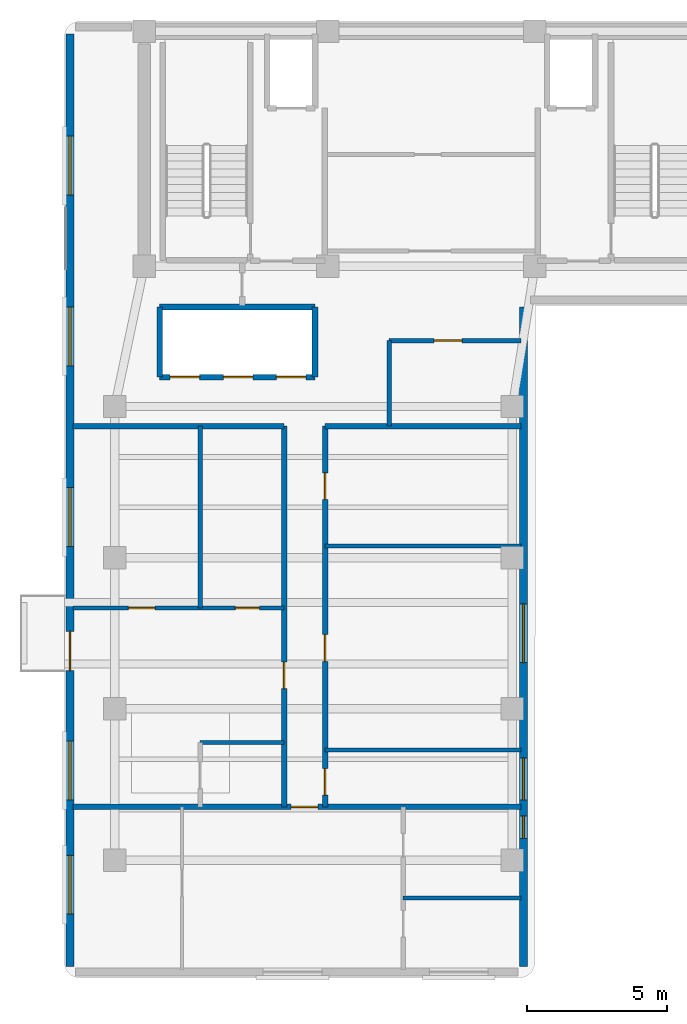
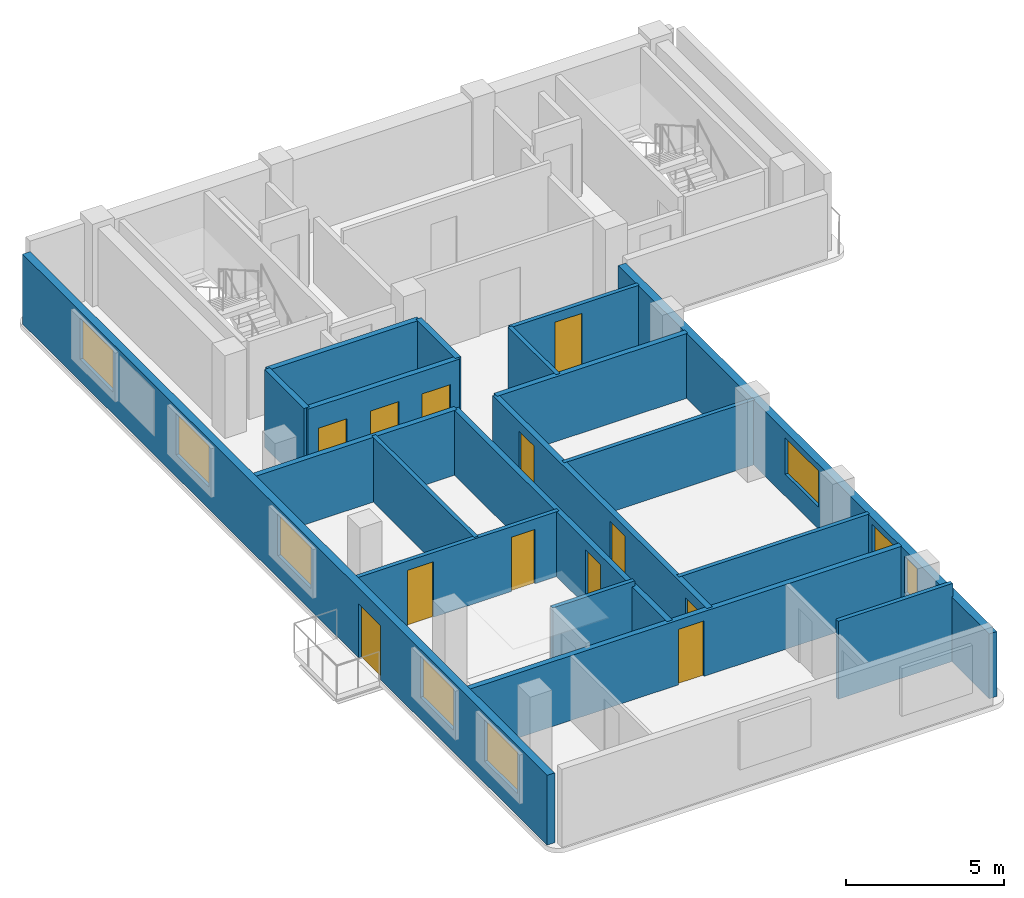
# One storey, part 2 of 5: 19 walls, 12 doors, 8 windows, 20 openings.
"""IFC4 building model written with IfcOpenShell, lengths in metres."""

from ifc_helpers import new_model, si_unit, direction, frame, frame_2d, origin, place, context, subcontext, project, spatial, rectangle, extrude, material, layer, layer_set, type_object, element, fill, save


model = new_model("IFC4")

# Units and contexts
model_context = context("Model", 3, precision=1e-05, world=origin(), true_north=direction((0.0, 1.0)))
body_context = subcontext(model_context, "Body", "Model", "MODEL_VIEW")
ifc_project = project(units=[si_unit("LENGTHUNIT", "METRE"), si_unit("AREAUNIT", "SQUARE_METRE"), si_unit("VOLUMEUNIT", "CUBIC_METRE"), si_unit("PLANEANGLEUNIT", "RADIAN"), si_unit("MASSUNIT", "GRAM", prefix="KILO")], contexts=[model_context])

# Site, building, storey
site_placement = place(None, origin())
site = spatial("IfcSite", under=ifc_project, at=site_placement, CompositionType="ELEMENT")
building_placement = place(site_placement, origin())
building = spatial("IfcBuilding", under=site, at=building_placement, Name="Kuzgunbayir Cultural Tower", CompositionType="ELEMENT")
storey_placement = place(building_placement, frame((0.0, 0.0, 224.800048828125)))
storey = spatial("IfcBuildingStorey", under=building, at=storey_placement, Name="L66", CompositionType="ELEMENT", Elevation=224.800048828125)

# Wall, openings, door, windows
ifc_material_1 = material(Name="Anatolian Cream Limestone", Category="masonry")
ifc_layer_1 = layer(ifc_material_1, 0.280029296875)
ifc_layer_set_1 = layer_set([ifc_layer_1], Name="Anatolian Cream Limestone")
wall_type_1 = type_object("IfcWallType", Name="WAL-EXT-STONE-280", PredefinedType="STANDARD", material=ifc_layer_set_1)
wall_1_placement = place(storey_placement, frame((3.800048828125, 42.10009765625, 0.0), z_axis=(0.0, 0.0, 1.0), x_axis=(0.0, -1.0, 0.0)))
wall_1 = element("IfcWall", 1, at=wall_1_placement, inside=storey, type_object=wall_type_1, Name="L66 Wing A West Limestone Wall", PredefinedType="STANDARD", context=body_context, shape_type="SweptSolid", body=[
    extrude(rectangle(XDim=33.300048828125, YDim=0.280029296875, at=frame_2d((16.64990234375, 0.0))), origin(), (0.0, 0.0, 1.0), 2.7099609375),
])
opening_1_placement = place(wall_1_placement, frame((21.330078125, 0.0, 0.0)))
opening_1 = element("IfcOpeningElement", 2, at=opening_1_placement, cuts=wall_1, Name="Opening BD-15", PredefinedType="OPENING", context=body_context, shape_type="SweptSolid", body=[
    extrude(rectangle(XDim=1.39990234375, YDim=2.10009765625, at=frame_2d((0.699951171875, 1.050048828125))), frame((0.0, 0.14990234375, 0.0), z_axis=(0.0, -1.0, 0.0), x_axis=(1.0, 0.0, 0.0)), (0.0, 0.0, 1.0), 0.300048828125),
])
opening_2_placement = place(wall_1_placement, frame((29.330078125, 0.0, 0.85009765625)))
opening_2 = element("IfcOpeningElement", 3, at=opening_2_placement, cuts=wall_1, Name="Opening WR-21", PredefinedType="OPENING", context=body_context, shape_type="SweptSolid", body=[
    extrude(rectangle(XDim=2.10009765625, YDim=1.610107421875, at=frame_2d((1.050048828125, 0.80517578125))), frame((0.0, 0.14990234375, 0.0), z_axis=(0.0, -1.0, 0.0), x_axis=(1.0, 0.0, 0.0)), (0.0, 0.0, 1.0), 0.300048828125),
])
opening_3_placement = place(wall_1_placement, frame((16.199951171875, 0.0, 0.85009765625)))
opening_3 = element("IfcOpeningElement", 4, at=opening_3_placement, cuts=wall_1, Name="Opening WR-21", PredefinedType="OPENING", context=body_context, shape_type="SweptSolid", body=[
    extrude(rectangle(XDim=2.10009765625, YDim=1.610107421875, at=frame_2d((1.050048828125, 0.80517578125))), frame((0.0, 0.14990234375, 0.0), z_axis=(0.0, -1.0, 0.0), x_axis=(1.0, 0.0, 0.0)), (0.0, 0.0, 1.0), 0.300048828125),
])
opening_4_placement = place(wall_1_placement, frame((25.25, 0.0, 0.85009765625)))
opening_4 = element("IfcOpeningElement", 5, at=opening_4_placement, cuts=wall_1, Name="Opening WR-21", PredefinedType="OPENING", context=body_context, shape_type="SweptSolid", body=[
    extrude(rectangle(XDim=2.10009765625, YDim=1.610107421875, at=frame_2d((1.050048828125, 0.80517578125))), frame((0.0, 0.14990234375, 0.0), z_axis=(0.0, -1.0, 0.0), x_axis=(1.0, 0.0, 0.0)), (0.0, 0.0, 1.0), 0.300048828125),
])
opening_5_placement = place(wall_1_placement, frame((9.75, 0.0, 0.85009765625)))
opening_5 = element("IfcOpeningElement", 6, at=opening_5_placement, cuts=wall_1, Name="Opening WR-21", PredefinedType="OPENING", context=body_context, shape_type="SweptSolid", body=[
    extrude(rectangle(XDim=2.10009765625, YDim=1.610107421875, at=frame_2d((1.050048828125, 0.80517578125))), frame((0.0, 0.14990234375, 0.0), z_axis=(0.0, -1.0, 0.0), x_axis=(1.0, 0.0, 0.0)), (0.0, 0.0, 1.0), 0.300048828125),
])
opening_6_placement = place(wall_1_placement, frame((3.64990234375, 0.0, 0.85009765625)))
opening_6 = element("IfcOpeningElement", 7, at=opening_6_placement, cuts=wall_1, Name="Opening WR-21", PredefinedType="OPENING", context=body_context, shape_type="SweptSolid", body=[
    extrude(rectangle(XDim=2.10009765625, YDim=1.610107421875, at=frame_2d((1.050048828125, 0.80517578125))), frame((0.0, 0.14990234375, 0.0), z_axis=(0.0, -1.0, 0.0), x_axis=(1.0, 0.0, 0.0)), (0.0, 0.0, 1.0), 0.300048828125),
])
ifc_material_2 = material(Name="Thermally Broken Glazed Aluminium", Category="aluminium")
door_type_1 = type_object("IfcDoorType", Name="DR-BALCONY-150", OperationType="SLIDING_TO_RIGHT", PredefinedType="DOOR", material=ifc_material_2)
door_1_placement = place(opening_1_placement, origin())
door_1 = element("IfcDoor", 8, at=door_1_placement, inside=storey, type_object=door_type_1, Name="L66 West Balcony Sliding Door BAL-L66-WA2", OperationType="SLIDING_TO_RIGHT", OverallHeight=2.10009765625, OverallWidth=1.39990234375, PredefinedType="DOOR", context=body_context, shape_type="SweptSolid", body=[
    extrude(rectangle(XDim=1.39990234375, YDim=2.10009765625, at=frame_2d((0.699951171875, 1.050048828125))), frame((0.0, 0.02490234375, 0.0), z_axis=(0.0, -1.0, 0.0), x_axis=(1.0, 0.0, 0.0)), (0.0, 0.0, 1.0), 0.050048828125),
])
fill(opening_1, door_1)
ifc_material_3 = material(Name="Solar-Control Triple Glazing", Category="glass")
window_type_1 = type_object("IfcWindowType", Name="WIN-RESID-21", PartitioningType="SINGLE_PANEL", PredefinedType="WINDOW", material=ifc_material_3)
window_1_placement = place(opening_2_placement, origin())
window_1 = element("IfcWindow", 9, at=window_1_placement, inside=storey, type_object=window_type_1, Name="L66 WAW Facade Window 1", OverallHeight=1.610107421875, OverallWidth=2.10009765625, PartitioningType="SINGLE_PANEL", PredefinedType="WINDOW", context=body_context, shape_type="SweptSolid", body=[
    extrude(rectangle(XDim=2.10009765625, YDim=1.610107421875, at=frame_2d((1.050048828125, 0.80517578125))), frame((0.0, 0.030029296875, 0.0), z_axis=(0.0, -1.0, 0.0), x_axis=(1.0, 0.0, 0.0)), (0.0, 0.0, 1.0), 0.06005859375),
])
fill(opening_2, window_1)
window_2_placement = place(opening_3_placement, origin())
window_2 = element("IfcWindow", 10, at=window_2_placement, inside=storey, type_object=window_type_1, Name="L66 WAW Facade Window 5", OverallHeight=1.610107421875, OverallWidth=2.10009765625, PartitioningType="SINGLE_PANEL", PredefinedType="WINDOW", context=body_context, shape_type="SweptSolid", body=[
    extrude(rectangle(XDim=2.10009765625, YDim=1.610107421875, at=frame_2d((1.050048828125, 0.80517578125))), frame((0.0, 0.030029296875, 0.0), z_axis=(0.0, -1.0, 0.0), x_axis=(1.0, 0.0, 0.0)), (0.0, 0.0, 1.0), 0.06005859375),
])
fill(opening_3, window_2)
window_3_placement = place(opening_4_placement, origin())
window_3 = element("IfcWindow", 11, at=window_3_placement, inside=storey, type_object=window_type_1, Name="L66 WAW Facade Window 6", OverallHeight=1.610107421875, OverallWidth=2.10009765625, PartitioningType="SINGLE_PANEL", PredefinedType="WINDOW", context=body_context, shape_type="SweptSolid", body=[
    extrude(rectangle(XDim=2.10009765625, YDim=1.610107421875, at=frame_2d((1.050048828125, 0.80517578125))), frame((0.0, 0.030029296875, 0.0), z_axis=(0.0, -1.0, 0.0), x_axis=(1.0, 0.0, 0.0)), (0.0, 0.0, 1.0), 0.06005859375),
])
fill(opening_4, window_3)
window_4_placement = place(opening_5_placement, origin())
window_4 = element("IfcWindow", 12, at=window_4_placement, inside=storey, type_object=window_type_1, Name="L66 WAW Facade Window 7", OverallHeight=1.610107421875, OverallWidth=2.10009765625, PartitioningType="SINGLE_PANEL", PredefinedType="WINDOW", context=body_context, shape_type="SweptSolid", body=[
    extrude(rectangle(XDim=2.10009765625, YDim=1.610107421875, at=frame_2d((1.050048828125, 0.80517578125))), frame((0.0, 0.030029296875, 0.0), z_axis=(0.0, -1.0, 0.0), x_axis=(1.0, 0.0, 0.0)), (0.0, 0.0, 1.0), 0.06005859375),
])
fill(opening_5, window_4)
window_5_placement = place(opening_6_placement, origin())
window_5 = element("IfcWindow", 13, at=window_5_placement, inside=storey, type_object=window_type_1, Name="L66 WAW Facade Window 8", OverallHeight=1.610107421875, OverallWidth=2.10009765625, PartitioningType="SINGLE_PANEL", PredefinedType="WINDOW", context=body_context, shape_type="SweptSolid", body=[
    extrude(rectangle(XDim=2.10009765625, YDim=1.610107421875, at=frame_2d((1.050048828125, 0.80517578125))), frame((0.0, 0.030029296875, 0.0), z_axis=(0.0, -1.0, 0.0), x_axis=(1.0, 0.0, 0.0)), (0.0, 0.0, 1.0), 0.06005859375),
])
fill(opening_6, window_5)

# Wall, openings, windows
wall_2_placement = place(storey_placement, frame((20.0, 8.800048828125, 0.0), z_axis=(0.0, 0.0, 1.0), x_axis=(0.0, 1.0, 0.0)))
wall_2 = element("IfcWall", 14, at=wall_2_placement, inside=storey, type_object=wall_type_1, Name="L66 Wing A East Limestone Wall", PredefinedType="STANDARD", context=body_context, shape_type="SweptSolid", body=[
    extrude(rectangle(XDim=23.550048828125, YDim=0.280029296875, at=frame_2d((11.77490234375, 0.0))), origin(), (0.0, 0.0, 1.0), 2.510009765625),
])
opening_7_placement = place(wall_2_placement, frame((4.580078125, 0.0, 0.85009765625)))
opening_7 = element("IfcOpeningElement", 15, at=opening_7_placement, cuts=wall_2, Name="Opening WN-08", PredefinedType="OPENING", context=body_context, shape_type="SweptSolid", body=[
    extrude(rectangle(XDim=0.800048828125, YDim=1.409912109375, at=frame_2d((0.39990234375, 0.705078125))), frame((0.0, 0.14990234375, 0.0), z_axis=(0.0, -1.0, 0.0), x_axis=(1.0, 0.0, 0.0)), (0.0, 0.0, 1.0), 0.300048828125),
])
opening_8_placement = place(wall_2_placement, frame((5.949951171875, 0.0, 0.85009765625)))
opening_8 = element("IfcOpeningElement", 16, at=opening_8_placement, cuts=wall_2, Name="Opening WR-15", PredefinedType="OPENING", context=body_context, shape_type="SweptSolid", body=[
    extrude(rectangle(XDim=1.5, YDim=1.409912109375, at=frame_2d((0.75, 0.705078125))), frame((0.0, 0.14990234375, 0.0), z_axis=(0.0, -1.0, 0.0), x_axis=(1.0, 0.0, 0.0)), (0.0, 0.0, 1.0), 0.300048828125),
])
opening_9_placement = place(wall_2_placement, frame((10.85009765625, 0.0, 0.85009765625)))
opening_9 = element("IfcOpeningElement", 17, at=opening_9_placement, cuts=wall_2, Name="Opening WR-21", PredefinedType="OPENING", context=body_context, shape_type="SweptSolid", body=[
    extrude(rectangle(XDim=2.10009765625, YDim=1.409912109375, at=frame_2d((1.050048828125, 0.705078125))), frame((0.0, 0.14990234375, 0.0), z_axis=(0.0, -1.0, 0.0), x_axis=(1.0, 0.0, 0.0)), (0.0, 0.0, 1.0), 0.300048828125),
])
window_type_2 = type_object("IfcWindowType", Name="WIN-NARROW-80", PartitioningType="SINGLE_PANEL", PredefinedType="WINDOW", material=ifc_material_3)
window_6_placement = place(opening_7_placement, origin())
window_6 = element("IfcWindow", 18, at=window_6_placement, inside=storey, type_object=window_type_2, Name="L66 WAE Facade Window 4", OverallHeight=1.409912109375, OverallWidth=0.800048828125, PartitioningType="SINGLE_PANEL", PredefinedType="WINDOW", context=body_context, shape_type="SweptSolid", body=[
    extrude(rectangle(XDim=0.800048828125, YDim=1.409912109375, at=frame_2d((0.39990234375, 0.705078125))), frame((0.0, 0.030029296875, 0.0), z_axis=(0.0, -1.0, 0.0), x_axis=(1.0, 0.0, 0.0)), (0.0, 0.0, 1.0), 0.06005859375),
])
fill(opening_7, window_6)
window_type_3 = type_object("IfcWindowType", Name="WIN-RESID-15", PartitioningType="SINGLE_PANEL", PredefinedType="WINDOW", material=ifc_material_3)
window_7_placement = place(opening_8_placement, origin())
window_7 = element("IfcWindow", 19, at=window_7_placement, inside=storey, type_object=window_type_3, Name="L66 WAE Facade Window 9", OverallHeight=1.409912109375, OverallWidth=1.5, PartitioningType="SINGLE_PANEL", PredefinedType="WINDOW", context=body_context, shape_type="SweptSolid", body=[
    extrude(rectangle(XDim=1.5, YDim=1.409912109375, at=frame_2d((0.75, 0.705078125))), frame((0.0, 0.030029296875, 0.0), z_axis=(0.0, -1.0, 0.0), x_axis=(1.0, 0.0, 0.0)), (0.0, 0.0, 1.0), 0.06005859375),
])
fill(opening_8, window_7)
window_8_placement = place(opening_9_placement, origin())
window_8 = element("IfcWindow", 20, at=window_8_placement, inside=storey, type_object=window_type_1, Name="L66 WAE Facade Window 10", OverallHeight=1.409912109375, OverallWidth=2.10009765625, PartitioningType="SINGLE_PANEL", PredefinedType="WINDOW", context=body_context, shape_type="SweptSolid", body=[
    extrude(rectangle(XDim=2.10009765625, YDim=1.409912109375, at=frame_2d((1.050048828125, 0.705078125))), frame((0.0, 0.030029296875, 0.0), z_axis=(0.0, -1.0, 0.0), x_axis=(1.0, 0.0, 0.0)), (0.0, 0.0, 1.0), 0.06005859375),
])
fill(opening_9, window_8)

# Wall, opening, door
ifc_material_4 = material(Name="Acoustic Double-Stud Drywall", Category="gypsum")
ifc_layer_2 = layer(ifc_material_4, 0.14990234375)
ifc_layer_set_2 = layer_set([ifc_layer_2], Name="Acoustic Double-Stud Drywall")
wall_type_2 = type_object("IfcWallType", Name="WAL-PART-ACOUSTIC-150", PredefinedType="PARTITIONING", material=ifc_layer_set_2)
wall_3_placement = place(storey_placement, frame((15.199951171875, 31.14990234375, 0.0), z_axis=(0.0, 0.0, 1.0), x_axis=(1.0, 0.0, 0.0)))
wall_3 = element("IfcWall", 21, at=wall_3_placement, inside=storey, type_object=wall_type_2, Name="L66 Central Sky Salon North Wall", PredefinedType="PARTITIONING", context=body_context, shape_type="SweptSolid", body=[
    extrude(rectangle(XDim=4.699951171875, YDim=0.14990234375, at=frame_2d((2.35009765625, 0.0))), origin(), (0.0, 0.0, 1.0), 2.510009765625),
])
opening_10_placement = place(wall_3_placement, frame((1.60009765625, 0.0, 0.0)))
opening_10 = element("IfcOpeningElement", 22, at=opening_10_placement, cuts=wall_3, Name="Opening DI-100", PredefinedType="OPENING", context=body_context, shape_type="SweptSolid", body=[
    extrude(rectangle(XDim=1.0, YDim=2.14990234375, at=frame_2d((0.5, 1.074951171875))), frame((0.0, 0.0849609375, 0.0), z_axis=(0.0, -1.0, 0.0), x_axis=(1.0, 0.0, 0.0)), (0.0, 0.0, 1.0), 0.169921875),
])
ifc_material_5 = material(Name="Veneered Oak Single Leaf", Category="wood")
door_type_2 = type_object("IfcDoorType", Name="DR-INT-100", OperationType="NOTDEFINED", PredefinedType="DOOR", material=ifc_material_5)
door_2_placement = place(opening_10_placement, origin())
door_2 = element("IfcDoor", 23, at=door_2_placement, inside=storey, type_object=door_type_2, Name="L66 Central Sky Salon Door", OperationType="SINGLE_SWING_LEFT", OverallHeight=2.14990234375, OverallWidth=1.0, PredefinedType="DOOR", context=body_context, shape_type="SweptSolid", body=[
    extrude(rectangle(XDim=1.0, YDim=2.14990234375, at=frame_2d((0.5, 1.074951171875))), frame((0.0, 0.02490234375, 0.0), z_axis=(0.0, -1.0, 0.0), x_axis=(1.0, 0.0, 0.0)), (0.0, 0.0, 1.0), 0.050048828125),
])
fill(opening_10, door_2)

# Walls
wall_4_placement = place(storey_placement, frame((15.199951171875, 28.10009765625, 0.0), z_axis=(0.0, 0.0, 1.0), x_axis=(0.0, 1.0, 0.0)))
element("IfcWall", 24, at=wall_4_placement, inside=storey, type_object=wall_type_2, Name="L66 Central Sky Salon West Wall", PredefinedType="PARTITIONING", context=body_context, shape_type="SweptSolid", body=[
    extrude(rectangle(XDim=3.0498046875, YDim=0.14990234375, at=frame_2d((1.52490234375, 0.0))), origin(), (0.0, 0.0, 1.0), 2.510009765625),
])
wall_5_placement = place(storey_placement, frame((12.909912109375, 23.820068359375, 0.0), z_axis=(0.0, 0.0, 1.0), x_axis=(1.0, 0.0, 0.0)))
element("IfcWall", 25, at=wall_5_placement, inside=storey, type_object=wall_type_2, Name="L66 East Divider 1", PredefinedType="PARTITIONING", context=body_context, shape_type="SweptSolid", body=[
    extrude(rectangle(XDim=6.989990234375, YDim=0.14990234375, at=frame_2d((3.4951171875, 0.0))), origin(), (0.0, 0.0, 1.0), 2.510009765625),
])

# Wall, opening, door
ifc_material_6 = material(Name="Aerated Concrete Blockwork", Category="masonry")
ifc_layer_3 = layer(ifc_material_6, 0.199951171875)
ifc_layer_set_3 = layer_set([ifc_layer_3], Name="Aerated Concrete Blockwork")
wall_type_3 = type_object("IfcWallType", Name="WAL-PART-FIRE-200", PredefinedType="PARTITIONING", material=ifc_layer_set_3)
wall_6_placement = place(storey_placement, frame((11.449951171875, 14.5, 0.0), z_axis=(0.0, 0.0, 1.0), x_axis=(0.0, 1.0, 0.0)))
wall_6 = element("IfcWall", 26, at=wall_6_placement, inside=storey, type_object=wall_type_3, Name="L66 Wing A West Corridor Wall", PredefinedType="PARTITIONING", context=body_context, shape_type="SweptSolid", body=[
    extrude(rectangle(XDim=13.60009765625, YDim=0.199951171875, at=frame_2d((6.800048828125, 0.0))), origin(), (0.0, 0.0, 1.0), 2.510009765625),
])
opening_11_placement = place(wall_6_placement, frame((4.219970703125, 0.0, 0.0)))
opening_11 = element("IfcOpeningElement", 27, at=opening_11_placement, cuts=wall_6, Name="Opening DR-APT-60", PredefinedType="OPENING", context=body_context, shape_type="SweptSolid", body=[
    extrude(rectangle(XDim=0.949951171875, YDim=2.14990234375, at=frame_2d((0.47509765625, 1.074951171875))), frame((0.0, 0.10986328125, 0.0), z_axis=(0.0, -1.0, 0.0), x_axis=(1.0, 0.0, 0.0)), (0.0, 0.0, 1.0), 0.219970703125),
])
ifc_material_7 = material(Name="Acoustic Fire Timber Leaf", Category="wood")
door_type_3 = type_object("IfcDoorType", Name="DR-APT-60", OperationType="NOTDEFINED", PredefinedType="DOOR", material=ifc_material_7)
door_3_placement = place(opening_11_placement, origin())
door_3 = element("IfcDoor", 28, at=door_3_placement, inside=storey, type_object=door_type_3, Name="L66 Apartment B Entrance", OperationType="SINGLE_SWING_RIGHT", OverallHeight=2.14990234375, OverallWidth=0.949951171875, PredefinedType="DOOR", context=body_context, shape_type="SweptSolid", body=[
    extrude(rectangle(XDim=0.949951171875, YDim=2.14990234375, at=frame_2d((0.47509765625, 1.074951171875))), frame((0.0, 0.02490234375, 0.0), z_axis=(0.0, -1.0, 0.0), x_axis=(1.0, 0.0, 0.0)), (0.0, 0.0, 1.0), 0.050048828125),
])
fill(opening_11, door_3)

# Wall, openings, doors
wall_7_placement = place(storey_placement, frame((12.909912109375, 14.5, 0.0), z_axis=(0.0, 0.0, 1.0), x_axis=(0.0, 1.0, 0.0)))
wall_7 = element("IfcWall", 29, at=wall_7_placement, inside=storey, type_object=wall_type_3, Name="L66 Wing A East Corridor Wall", PredefinedType="PARTITIONING", context=body_context, shape_type="SweptSolid", body=[
    extrude(rectangle(XDim=13.60009765625, YDim=0.199951171875, at=frame_2d((6.800048828125, 0.0))), origin(), (0.0, 0.0, 1.0), 2.510009765625),
])
opening_12_placement = place(wall_7_placement, frame((0.419921875, 0.0, 0.0)))
opening_12 = element("IfcOpeningElement", 30, at=opening_12_placement, cuts=wall_7, Name="Opening DW-95", PredefinedType="OPENING", context=body_context, shape_type="SweptSolid", body=[
    extrude(rectangle(XDim=0.949951171875, YDim=2.10009765625, at=frame_2d((0.47509765625, 1.050048828125))), frame((0.0, 0.10986328125, 0.0), z_axis=(0.0, -1.0, 0.0), x_axis=(1.0, 0.0, 0.0)), (0.0, 0.0, 1.0), 0.219970703125),
])
opening_13_placement = place(wall_7_placement, frame((5.199951171875, 0.0, 0.0)))
opening_13 = element("IfcOpeningElement", 31, at=opening_13_placement, cuts=wall_7, Name="Opening DI-90", PredefinedType="OPENING", context=body_context, shape_type="SweptSolid", body=[
    extrude(rectangle(XDim=0.949951171875, YDim=2.14990234375, at=frame_2d((0.47509765625, 1.074951171875))), frame((0.0, 0.10986328125, 0.0), z_axis=(0.0, -1.0, 0.0), x_axis=(1.0, 0.0, 0.0)), (0.0, 0.0, 1.0), 0.219970703125),
])
opening_14_placement = place(wall_7_placement, frame((10.97998046875, 0.0, 0.0)))
opening_14 = element("IfcOpeningElement", 32, at=opening_14_placement, cuts=wall_7, Name="Opening DI-90", PredefinedType="OPENING", context=body_context, shape_type="SweptSolid", body=[
    extrude(rectangle(XDim=0.949951171875, YDim=2.14990234375, at=frame_2d((0.47509765625, 1.074951171875))), frame((0.0, 0.10986328125, 0.0), z_axis=(0.0, -1.0, 0.0), x_axis=(1.0, 0.0, 0.0)), (0.0, 0.0, 1.0), 0.219970703125),
])
door_type_4 = type_object("IfcDoorType", Name="DR-INT-90", OperationType="NOTDEFINED", PredefinedType="DOOR", material=ifc_material_5)
door_4_placement = place(opening_13_placement, origin())
door_4 = element("IfcDoor", 33, at=door_4_placement, inside=storey, type_object=door_type_4, Name="L66 East Curatorial Office E1 Door", OperationType="SINGLE_SWING_LEFT", OverallHeight=2.14990234375, OverallWidth=0.949951171875, PredefinedType="DOOR", context=body_context, shape_type="SweptSolid", body=[
    extrude(rectangle(XDim=0.949951171875, YDim=2.14990234375, at=frame_2d((0.47509765625, 1.074951171875))), frame((0.0, 0.02490234375, 0.0), z_axis=(0.0, -1.0, 0.0), x_axis=(1.0, 0.0, 0.0)), (0.0, 0.0, 1.0), 0.050048828125),
])
fill(opening_13, door_4)
door_5_placement = place(opening_14_placement, origin())
door_5 = element("IfcDoor", 34, at=door_5_placement, inside=storey, type_object=door_type_4, Name="L66 East Fellows Reading Lounge E2 Door", OperationType="SINGLE_SWING_RIGHT", OverallHeight=2.14990234375, OverallWidth=0.949951171875, PredefinedType="DOOR", context=body_context, shape_type="SweptSolid", body=[
    extrude(rectangle(XDim=0.949951171875, YDim=2.14990234375, at=frame_2d((0.47509765625, 1.074951171875))), frame((0.0, 0.02490234375, 0.0), z_axis=(0.0, -1.0, 0.0), x_axis=(1.0, 0.0, 0.0)), (0.0, 0.0, 1.0), 0.050048828125),
])
fill(opening_14, door_5)
ifc_material_8 = material(Name="Laminate Moisture-Resistant Leaf", Category="wood")
door_type_5 = type_object("IfcDoorType", Name="DR-WET-95", OperationType="NOTDEFINED", PredefinedType="DOOR", material=ifc_material_8)
door_6_placement = place(opening_12_placement, origin())
door_6 = element("IfcDoor", 35, at=door_6_placement, inside=storey, type_object=door_type_5, Name="L66 Visitor Accessible WC Door", OperationType="SINGLE_SWING_RIGHT", OverallHeight=2.10009765625, OverallWidth=0.949951171875, PredefinedType="DOOR", context=body_context, shape_type="SweptSolid", body=[
    extrude(rectangle(XDim=0.949951171875, YDim=2.10009765625, at=frame_2d((0.47509765625, 1.050048828125))), frame((0.0, 0.02490234375, 0.0), z_axis=(0.0, -1.0, 0.0), x_axis=(1.0, 0.0, 0.0)), (0.0, 0.0, 1.0), 0.050048828125),
])
fill(opening_12, door_6)

# Wall, opening, door
wall_8_placement = place(storey_placement, frame((3.89990234375, 14.5, 0.0), z_axis=(0.0, 0.0, 1.0), x_axis=(1.0, 0.0, 0.0)))
wall_8 = element("IfcWall", 36, at=wall_8_placement, inside=storey, type_object=wall_type_3, Name="L66 South Cross Partition", PredefinedType="PARTITIONING", context=body_context, shape_type="SweptSolid", body=[
    extrude(rectangle(XDim=16.0, YDim=0.199951171875, at=frame_2d((8.0, 0.0))), origin(), (0.0, 0.0, 1.0), 2.510009765625),
])
opening_15_placement = place(wall_8_placement, frame((7.800048828125, 0.0, 0.0)))
opening_15 = element("IfcOpeningElement", 37, at=opening_15_placement, cuts=wall_8, Name="Opening DR-APT-60", PredefinedType="OPENING", context=body_context, shape_type="SweptSolid", body=[
    extrude(rectangle(XDim=0.949951171875, YDim=2.14990234375, at=frame_2d((0.47509765625, 1.074951171875))), frame((0.0, 0.10986328125, 0.0), z_axis=(0.0, -1.0, 0.0), x_axis=(1.0, 0.0, 0.0)), (0.0, 0.0, 1.0), 0.219970703125),
])
door_7_placement = place(opening_15_placement, origin())
door_7 = element("IfcDoor", 38, at=door_7_placement, inside=storey, type_object=door_type_3, Name="L66 Apartment A Entrance", OperationType="SINGLE_SWING_RIGHT", OverallHeight=2.14990234375, OverallWidth=0.949951171875, PredefinedType="DOOR", context=body_context, shape_type="SweptSolid", body=[
    extrude(rectangle(XDim=0.949951171875, YDim=2.14990234375, at=frame_2d((0.47509765625, 1.074951171875))), frame((0.0, 0.02490234375, 0.0), z_axis=(0.0, -1.0, 0.0), x_axis=(1.0, 0.0, 0.0)), (0.0, 0.0, 1.0), 0.050048828125),
])
fill(opening_15, door_7)

# Walls
wall_9_placement = place(storey_placement, frame((3.89990234375, 28.10009765625, 0.0), z_axis=(0.0, 0.0, 1.0), x_axis=(1.0, 0.0, 0.0)))
element("IfcWall", 39, at=wall_9_placement, inside=storey, type_object=wall_type_3, Name="L66 North West Partition", PredefinedType="PARTITIONING", context=body_context, shape_type="SweptSolid", body=[
    extrude(rectangle(XDim=7.550048828125, YDim=0.199951171875, at=frame_2d((3.77490234375, 0.0))), origin(), (0.0, 0.0, 1.0), 2.510009765625),
])
wall_10_placement = place(storey_placement, frame((12.909912109375, 28.10009765625, 0.0), z_axis=(0.0, 0.0, 1.0), x_axis=(1.0, 0.0, 0.0)))
element("IfcWall", 40, at=wall_10_placement, inside=storey, type_object=wall_type_3, Name="L66 North East Partition", PredefinedType="PARTITIONING", context=body_context, shape_type="SweptSolid", body=[
    extrude(rectangle(XDim=6.989990234375, YDim=0.199951171875, at=frame_2d((3.4951171875, 0.0))), origin(), (0.0, 0.0, 1.0), 2.510009765625),
])
ifc_material_9 = material(Name="Moisture-Resistant Tile Partition", Category="gypsum")
ifc_layer_4 = layer(ifc_material_9, 0.14990234375)
ifc_layer_set_4 = layer_set([ifc_layer_4], Name="Moisture-Resistant Tile Partition")
wall_type_4 = type_object("IfcWallType", Name="WAL-PART-WET-150", PredefinedType="PARTITIONING", material=ifc_layer_set_4)
wall_11_placement = place(storey_placement, frame((15.699951171875, 11.25, 0.0), z_axis=(0.0, 0.0, 1.0), x_axis=(1.0, 0.0, 0.0)))
element("IfcWall", 41, at=wall_11_placement, inside=storey, type_object=wall_type_4, Name="L66 Flat A Bath Kitchen Divider", PredefinedType="PARTITIONING", context=body_context, shape_type="SweptSolid", body=[
    extrude(rectangle(XDim=4.199951171875, YDim=0.14990234375, at=frame_2d((2.10009765625, 0.0))), origin(), (0.0, 0.0, 1.0), 3.02001953125),
])

# Wall, openings, doors
wall_12_placement = place(storey_placement, frame((3.89990234375, 21.60009765625, 0.0), z_axis=(0.0, 0.0, 1.0), x_axis=(1.0, 0.0, 0.0)))
wall_12 = element("IfcWall", 42, at=wall_12_placement, inside=storey, type_object=wall_type_4, Name="L66 Flat B North Wall", PredefinedType="PARTITIONING", context=body_context, shape_type="SweptSolid", body=[
    extrude(rectangle(XDim=7.550048828125, YDim=0.14990234375, at=frame_2d((3.77490234375, 0.0))), origin(), (0.0, 0.0, 1.0), 2.510009765625),
])
opening_16_placement = place(wall_12_placement, frame((1.989990234375, 0.0, 0.0)))
opening_16 = element("IfcOpeningElement", 43, at=opening_16_placement, cuts=wall_12, Name="Opening DI-90", PredefinedType="OPENING", context=body_context, shape_type="SweptSolid", body=[
    extrude(rectangle(XDim=0.949951171875, YDim=2.14990234375, at=frame_2d((0.47509765625, 1.074951171875))), frame((0.0, 0.0849609375, 0.0), z_axis=(0.0, -1.0, 0.0), x_axis=(1.0, 0.0, 0.0)), (0.0, 0.0, 1.0), 0.169921875),
])
opening_17_placement = place(wall_12_placement, frame((5.81005859375, 0.0, 0.0)))
opening_17 = element("IfcOpeningElement", 44, at=opening_17_placement, cuts=wall_12, Name="Opening DW-85", PredefinedType="OPENING", context=body_context, shape_type="SweptSolid", body=[
    extrude(rectangle(XDim=0.85009765625, YDim=2.10009765625, at=frame_2d((0.425048828125, 1.050048828125))), frame((0.0, 0.0849609375, 0.0), z_axis=(0.0, -1.0, 0.0), x_axis=(1.0, 0.0, 0.0)), (0.0, 0.0, 1.0), 0.169921875),
])
door_8_placement = place(opening_16_placement, origin())
door_8 = element("IfcDoor", 45, at=door_8_placement, inside=storey, type_object=door_type_4, Name="L66 Apartment B Bedroom Door", OperationType="SINGLE_SWING_RIGHT", OverallHeight=2.14990234375, OverallWidth=0.949951171875, PredefinedType="DOOR", context=body_context, shape_type="SweptSolid", body=[
    extrude(rectangle(XDim=0.949951171875, YDim=2.14990234375, at=frame_2d((0.47509765625, 1.074951171875))), frame((0.0, 0.02490234375, 0.0), z_axis=(0.0, -1.0, 0.0), x_axis=(1.0, 0.0, 0.0)), (0.0, 0.0, 1.0), 0.050048828125),
])
fill(opening_16, door_8)
door_type_6 = type_object("IfcDoorType", Name="DR-WET-85", OperationType="NOTDEFINED", PredefinedType="DOOR", material=ifc_material_8)
door_9_placement = place(opening_17_placement, origin())
door_9 = element("IfcDoor", 46, at=door_9_placement, inside=storey, type_object=door_type_6, Name="L66 Apartment B Bathroom Door", OperationType="SINGLE_SWING_LEFT", OverallHeight=2.10009765625, OverallWidth=0.85009765625, PredefinedType="DOOR", context=body_context, shape_type="SweptSolid", body=[
    extrude(rectangle(XDim=0.85009765625, YDim=2.10009765625, at=frame_2d((0.425048828125, 1.050048828125))), frame((0.0, 0.02490234375, 0.0), z_axis=(0.0, -1.0, 0.0), x_axis=(1.0, 0.0, 0.0)), (0.0, 0.0, 1.0), 0.050048828125),
])
fill(opening_17, door_9)

# Walls
wall_13_placement = place(storey_placement, frame((8.449951171875, 21.60009765625, 0.0), z_axis=(0.0, 0.0, 1.0), x_axis=(0.0, 1.0, 0.0)))
element("IfcWall", 47, at=wall_13_placement, inside=storey, type_object=wall_type_4, Name="L66 Flat B Bedroom Bath Wall", PredefinedType="PARTITIONING", context=body_context, shape_type="SweptSolid", body=[
    extrude(rectangle(XDim=6.5, YDim=0.14990234375, at=frame_2d((3.25, 0.0))), origin(), (0.0, 0.0, 1.0), 2.510009765625),
])
wall_14_placement = place(storey_placement, frame((8.449951171875, 16.800048828125, 0.0), z_axis=(0.0, 0.0, 1.0), x_axis=(1.0, 0.0, 0.0)))
element("IfcWall", 48, at=wall_14_placement, inside=storey, type_object=wall_type_4, Name="L66 Flat B Kitchen North Wall", PredefinedType="PARTITIONING", context=body_context, shape_type="SweptSolid", body=[
    extrude(rectangle(XDim=3.0, YDim=0.14990234375, at=frame_2d((1.5, 0.0))), origin(), (0.0, 0.0, 1.0), 2.7099609375),
])
wall_15_placement = place(storey_placement, frame((12.909912109375, 16.530029296875, 0.0), z_axis=(0.0, 0.0, 1.0), x_axis=(1.0, 0.0, 0.0)))
element("IfcWall", 49, at=wall_15_placement, inside=storey, type_object=wall_type_4, Name="L66 East Accessible WC Wall", PredefinedType="PARTITIONING", context=body_context, shape_type="SweptSolid", body=[
    extrude(rectangle(XDim=6.989990234375, YDim=0.14990234375, at=frame_2d((3.4951171875, 0.0))), origin(), (0.0, 0.0, 1.0), 2.510009765625),
])

# Wall, openings, doors
ifc_material_10 = material(Name="Concrete C40/50", Category="concrete")
ifc_layer_5 = layer(ifc_material_10, 0.199951171875)
ifc_layer_set_5 = layer_set([ifc_layer_5], Name="Concrete C40/50")
wall_type_5 = type_object("IfcWallType", Name="WAL-SHAFT-200", PredefinedType="MOVABLE", material=ifc_layer_set_5)
wall_16_placement = place(storey_placement, frame((7.0, 29.85009765625, 0.0), z_axis=(0.0, 0.0, 1.0), x_axis=(1.0, 0.0, 0.0)))
wall_16 = element("IfcWall", 50, at=wall_16_placement, inside=storey, type_object=wall_type_5, Name="L66 High-Rise Lift Shaft South Wall", PredefinedType="MOVABLE", context=body_context, shape_type="SweptSolid", body=[
    extrude(rectangle(XDim=5.550048828125, YDim=0.199951171875, at=frame_2d((2.77490234375, 0.0))), origin(), (0.0, 0.0, 1.0), 3.02001953125),
])
opening_18_placement = place(wall_16_placement, frame((0.3798828125, 0.0, 0.0)))
opening_18 = element("IfcOpeningElement", 51, at=opening_18_placement, cuts=wall_16, Name="Opening LD", PredefinedType="OPENING", context=body_context, shape_type="SweptSolid", body=[
    extrude(rectangle(XDim=1.050048828125, YDim=2.14990234375, at=frame_2d((0.52490234375, 1.074951171875))), frame((0.0, 0.10986328125, 0.0), z_axis=(0.0, -1.0, 0.0), x_axis=(1.0, 0.0, 0.0)), (0.0, 0.0, 1.0), 0.219970703125),
])
opening_19_placement = place(wall_16_placement, frame((2.280029296875, 0.0, 0.0)))
opening_19 = element("IfcOpeningElement", 52, at=opening_19_placement, cuts=wall_16, Name="Opening LD", PredefinedType="OPENING", context=body_context, shape_type="SweptSolid", body=[
    extrude(rectangle(XDim=1.050048828125, YDim=2.14990234375, at=frame_2d((0.52490234375, 1.074951171875))), frame((0.0, 0.10986328125, 0.0), z_axis=(0.0, -1.0, 0.0), x_axis=(1.0, 0.0, 0.0)), (0.0, 0.0, 1.0), 0.219970703125),
])
opening_20_placement = place(wall_16_placement, frame((4.169921875, 0.0, 0.0)))
opening_20 = element("IfcOpeningElement", 53, at=opening_20_placement, cuts=wall_16, Name="Opening LD", PredefinedType="OPENING", context=body_context, shape_type="SweptSolid", body=[
    extrude(rectangle(XDim=1.050048828125, YDim=2.14990234375, at=frame_2d((0.52490234375, 1.074951171875))), frame((0.0, 0.10986328125, 0.0), z_axis=(0.0, -1.0, 0.0), x_axis=(1.0, 0.0, 0.0)), (0.0, 0.0, 1.0), 0.219970703125),
])
ifc_material_11 = material(Name="Brushed Stainless Steel", Category="steel")
door_type_7 = type_object("IfcDoorType", Name="DR-LIFT-LANDING", OperationType="SLIDING_TO_LEFT", PredefinedType="DOOR", material=ifc_material_11)
door_10_placement = place(opening_18_placement, origin())
door_10 = element("IfcDoor", 54, at=door_10_placement, inside=storey, type_object=door_type_7, Name="L66 Lift PH-1 Landing Door", OperationType="SLIDING_TO_LEFT", OverallHeight=2.14990234375, OverallWidth=1.050048828125, PredefinedType="DOOR", context=body_context, shape_type="SweptSolid", body=[
    extrude(rectangle(XDim=1.050048828125, YDim=2.14990234375, at=frame_2d((0.52490234375, 1.074951171875))), frame((0.0, 0.02490234375, 0.0), z_axis=(0.0, -1.0, 0.0), x_axis=(1.0, 0.0, 0.0)), (0.0, 0.0, 1.0), 0.050048828125),
])
fill(opening_18, door_10)
door_11_placement = place(opening_19_placement, origin())
door_11 = element("IfcDoor", 55, at=door_11_placement, inside=storey, type_object=door_type_7, Name="L66 Lift PH-2 Landing Door", OperationType="SLIDING_TO_LEFT", OverallHeight=2.14990234375, OverallWidth=1.050048828125, PredefinedType="DOOR", context=body_context, shape_type="SweptSolid", body=[
    extrude(rectangle(XDim=1.050048828125, YDim=2.14990234375, at=frame_2d((0.52490234375, 1.074951171875))), frame((0.0, 0.02490234375, 0.0), z_axis=(0.0, -1.0, 0.0), x_axis=(1.0, 0.0, 0.0)), (0.0, 0.0, 1.0), 0.050048828125),
])
fill(opening_19, door_11)
door_12_placement = place(opening_20_placement, origin())
door_12 = element("IfcDoor", 56, at=door_12_placement, inside=storey, type_object=door_type_7, Name="L66 Lift PH-3 Landing Door", OperationType="SLIDING_TO_LEFT", OverallHeight=2.14990234375, OverallWidth=1.050048828125, PredefinedType="DOOR", context=body_context, shape_type="SweptSolid", body=[
    extrude(rectangle(XDim=1.050048828125, YDim=2.14990234375, at=frame_2d((0.52490234375, 1.074951171875))), frame((0.0, 0.02490234375, 0.0), z_axis=(0.0, -1.0, 0.0), x_axis=(1.0, 0.0, 0.0)), (0.0, 0.0, 1.0), 0.050048828125),
])
fill(opening_20, door_12)

# Walls
wall_17_placement = place(storey_placement, frame((7.0, 32.35009765625, 0.0), z_axis=(0.0, 0.0, 1.0), x_axis=(1.0, 0.0, 0.0)))
element("IfcWall", 57, at=wall_17_placement, inside=storey, type_object=wall_type_5, Name="L66 High-Rise Lift Shaft North Wall", PredefinedType="MOVABLE", context=body_context, shape_type="SweptSolid", body=[
    extrude(rectangle(XDim=5.550048828125, YDim=0.199951171875, at=frame_2d((2.77490234375, 0.0))), origin(), (0.0, 0.0, 1.0), 3.02001953125),
])
for number, where, z_axis, x_axis, name in (
    (58, (7.0, 29.85009765625, 0.0), (0.0, 0.0, 1.0), (0.0, 1.0, 0.0), "L66 High-Rise Lift Shaft West Wall"),
    (59, (12.550048828125, 29.85009765625, 0.0), (0.0, 0.0, 1.0), (0.0, 1.0, 0.0), "L66 High-Rise Lift Shaft East Wall"),
):
    element("IfcWall", number, at=place(storey_placement, frame(where, z_axis=z_axis, x_axis=x_axis)), inside=storey, type_object=wall_type_5, Name=name, PredefinedType="MOVABLE", context=body_context, shape_type="SweptSolid", body=[
        extrude(rectangle(XDim=2.5, YDim=0.199951171875, at=frame_2d((1.25, 0.0))), origin(), (0.0, 0.0, 1.0), 3.02001953125),
    ])

save(model, "model.ifc")
